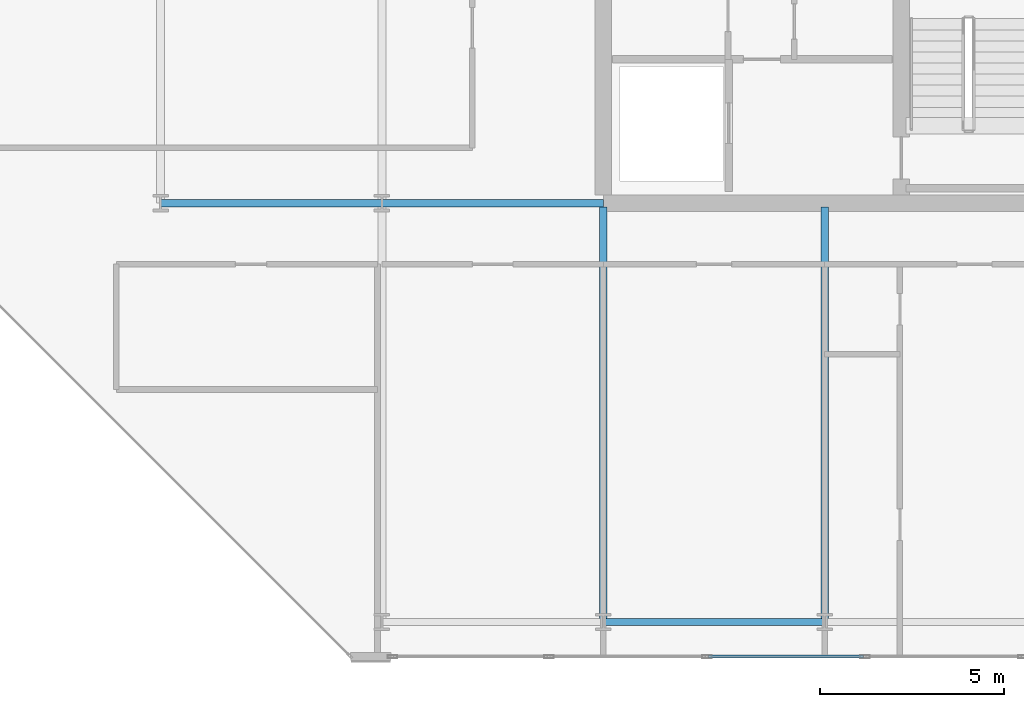
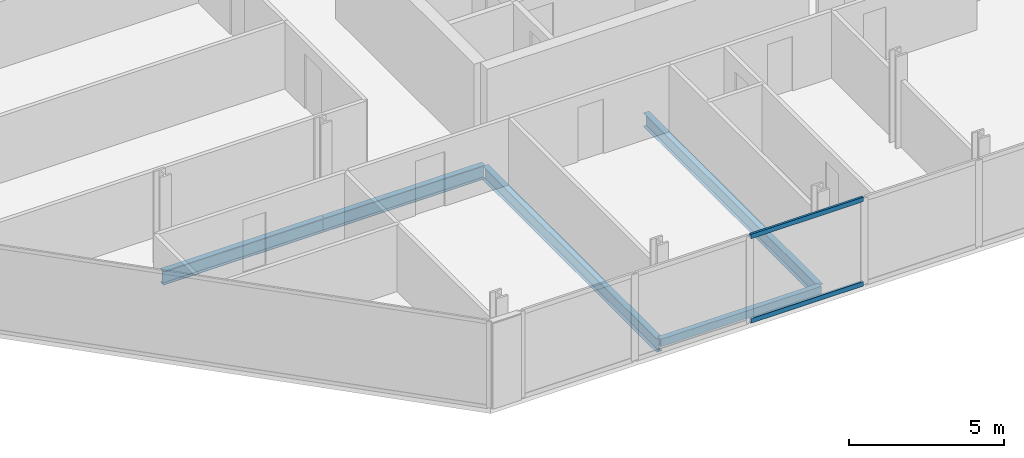
# One storey, part 3 of 17: 5 beams, 2 members, 1 element without a shape of its own.
"""IFC4 building model written with IfcOpenShell, lengths in metres."""

from ifc_helpers import new_model, si_unit, direction, frame, origin, origin_2d, place, context, subcontext, project, spatial, hollow_rectangle, i_section, extrude, material, layer, layer_set, material_profile, profile_set, type_object, element, aggregate, save


model = new_model("IFC4")

# Units and contexts
model_context = context("Model", 3, precision=1e-05, world=origin(), true_north=direction((0.0, 1.0)))
body_context = subcontext(model_context, "Body", "Model", "MODEL_VIEW")
ifc_project = project(units=[si_unit("LENGTHUNIT", "METRE"), si_unit("AREAUNIT", "SQUARE_METRE"), si_unit("VOLUMEUNIT", "CUBIC_METRE"), si_unit("PLANEANGLEUNIT", "RADIAN"), si_unit("MASSUNIT", "GRAM", prefix="KILO")], contexts=[model_context])

# Site, building, storey
site_placement = place(None, origin())
site = spatial("IfcSite", under=ifc_project, at=site_placement, CompositionType="ELEMENT")
building_placement = place(site_placement, origin())
building = spatial("IfcBuilding", under=site, at=building_placement, Name="Tanjung Sevakor Pilgrim Tower", CompositionType="ELEMENT")
storey_placement = place(building_placement, frame((0.0, 0.0, 267.9599609375)))
storey = spatial("IfcBuildingStorey", under=building, at=storey_placement, Name="L75", CompositionType="ELEMENT", Elevation=267.9599609375)

# Beams
ifc_material_1 = material(Name="Steel S355J2", Category="steel")
ifc_material_profile_1 = material_profile(ifc_material_1, i_section(OverallWidth=0.2119140625, OverallDepth=0.54443359375, WebThickness=0.0126953125, FlangeThickness=0.021240234375, FilletRadius=0.0126953125, at=origin_2d()))
ifc_profile_set_1 = profile_set([ifc_material_profile_1], Name="Steel S355J2")
beam_type_1 = type_object("IfcBeamType", Name="BM-B-G5-UB_533x210x122", PredefinedType="BEAM", material=ifc_profile_set_1)
for number, where, z_axis, x_axis, name in (
    (1, (66.0, 24.60009765625, -0.4921875), (1.0, 0.0, 0.0), (0.0, 1.0, 0.0), "L75 Primary Floor Girder EAST Y246-01"),
    (2, (72.0, 24.60009765625, -0.4921875), (1.0, 0.0, 0.0), (0.0, 1.0, 0.0), "L75 Primary Floor Girder EAST Y246-02"),
):
    element("IfcBeam", number, at=place(storey_placement, frame(where, z_axis=z_axis, x_axis=x_axis)), inside=storey, type_object=beam_type_1, Name=name, PredefinedType="BEAM", context=body_context, shape_type="SweptSolid", body=[
        extrude(i_section(OverallWidth=0.2119140625, OverallDepth=0.54443359375, WebThickness=0.0126953125, FlangeThickness=0.021240234375, FilletRadius=0.0126953125, at=origin_2d()), origin(), (0.0, 0.0, 1.0), 6.0),
    ])
ifc_material_2 = material(Name="Steel S355J2", Category="steel")
ifc_material_profile_2 = material_profile(ifc_material_2, i_section(OverallWidth=0.210693359375, OverallDepth=0.53955078125, WebThickness=0.01171875, FlangeThickness=0.018798828125, FilletRadius=0.0126953125, at=origin_2d()))
ifc_profile_set_2 = profile_set([ifc_material_profile_2], Name="Steel S355J2")
beam_type_2 = type_object("IfcBeamType", Name="BM-B-G6-UB_533x210x109", PredefinedType="BEAM", material=ifc_profile_set_2)
for number, where, z_axis, x_axis, name in (
    (3, (78.0, 13.25, -0.48974609375), (0.0, 1.0, 0.0), (-1.0, 0.0, 0.0), "L75 EAST Girder 005"),
    (4, (84.0, 13.25, -0.48974609375), (0.0, 1.0, 0.0), (-1.0, 0.0, 0.0), "L75 EAST Girder 007"),
):
    element("IfcBeam", number, at=place(storey_placement, frame(where, z_axis=z_axis, x_axis=x_axis)), inside=storey, type_object=beam_type_2, Name=name, PredefinedType="BEAM", context=body_context, shape_type="SweptSolid", body=[
        extrude(i_section(OverallWidth=0.210693359375, OverallDepth=0.53955078125, WebThickness=0.01171875, FlangeThickness=0.018798828125, FilletRadius=0.0126953125, at=origin_2d()), origin(), (0.0, 0.0, 1.0), 11.243896484375),
    ])
ifc_material_3 = material(Name="Steel S355J2", Category="steel")
ifc_material_profile_3 = material_profile(ifc_material_3, hollow_rectangle(XDim=0.199951171875, YDim=0.300048828125, WallThickness=0.012451171875, at=origin_2d()))
ifc_profile_set_3 = profile_set([ifc_material_profile_3], Name="Steel S355J2")
beam_type_3 = type_object("IfcBeamType", Name="BM-B-SP3-RHS_300x200x12.5", PredefinedType="SPANDREL", material=ifc_profile_set_3)
beam_placement = place(storey_placement, frame((78.0, 13.25, -0.369873046875), z_axis=(1.0, 0.0, 0.0), x_axis=(0.0, 1.0, 0.0)))
element("IfcBeam", 5, at=beam_placement, inside=storey, type_object=beam_type_3, Name="L75 Spandrel EAST S-03", PredefinedType="SPANDREL", context=body_context, shape_type="SweptSolid", body=[
    extrude(hollow_rectangle(XDim=0.199951171875, YDim=0.300048828125, WallThickness=0.012451171875, at=origin_2d()), origin(), (0.0, 0.0, 1.0), 6.0),
])

# Curtain wall, members
ifc_material_4 = material(Name="Aluminium 6063-T6 and Low-E Glass", Category="aluminium")
ifc_layer = layer(ifc_material_4, 0.219970703125)
ifc_layer_set = layer_set([ifc_layer], Name="CW-SYS-CRNE")
curtain_wall_type = type_object("IfcCurtainWallType", Name="CW-SYS-CRNE", PredefinedType="NOTDEFINED", material=ifc_layer_set)
curtain_wall_placement = place(storey_placement, origin())
curtain_wall = element("IfcCurtainWall", 6, at=curtain_wall_placement, inside=storey, type_object=curtain_wall_type, Name="L75 Curtain Wall CW-CRN-L75-EAST-0-1", PredefinedType="NOTDEFINED")
ifc_material_5 = material(Name="Aluminium 6063-T6", Category="aluminium")
ifc_material_profile_4 = material_profile(ifc_material_5, hollow_rectangle(XDim=0.080078125, YDim=0.179931640625, WallThickness=0.0048828125, at=origin_2d()))
ifc_profile_set_4 = profile_set([ifc_material_profile_4], Name="Aluminium 6063-T6")
member_type = type_object("IfcMemberType", Name="TYPE-CWT-3", PredefinedType="USERDEFINED", material=ifc_profile_set_4)
member_1_placement = place(storey_placement, frame((80.84912109375, 12.31005859375, 0.0400390625), z_axis=(1.0, 0.0, 0.0), x_axis=(0.0, 1.0, 0.0)))
member_1 = element("IfcMember", 7, at=member_1_placement, type_object=member_type, Name="CW-CRE transom 3.1", ObjectType="TRANSOM", PredefinedType="USERDEFINED", context=body_context, shape_type="SweptSolid", body=[
    extrude(hollow_rectangle(XDim=0.080078125, YDim=0.179931640625, WallThickness=0.0048828125, at=origin_2d()), origin(), (0.0, 0.0, 1.0), 4.20166015625),
])
member_2_placement = place(storey_placement, frame((80.84912109375, 12.31005859375, 3.3701171875), z_axis=(1.0, 0.0, 0.0), x_axis=(0.0, 1.0, 0.0)))
member_2 = element("IfcMember", 8, at=member_2_placement, type_object=member_type, Name="CW-CRE transom 3.2", ObjectType="TRANSOM", PredefinedType="USERDEFINED", context=body_context, shape_type="SweptSolid", body=[
    extrude(hollow_rectangle(XDim=0.080078125, YDim=0.179931640625, WallThickness=0.0048828125, at=origin_2d()), origin(), (0.0, 0.0, 1.0), 4.20166015625),
])
aggregate(curtain_wall, [member_1, member_2])

save(model, "model.ifc")
